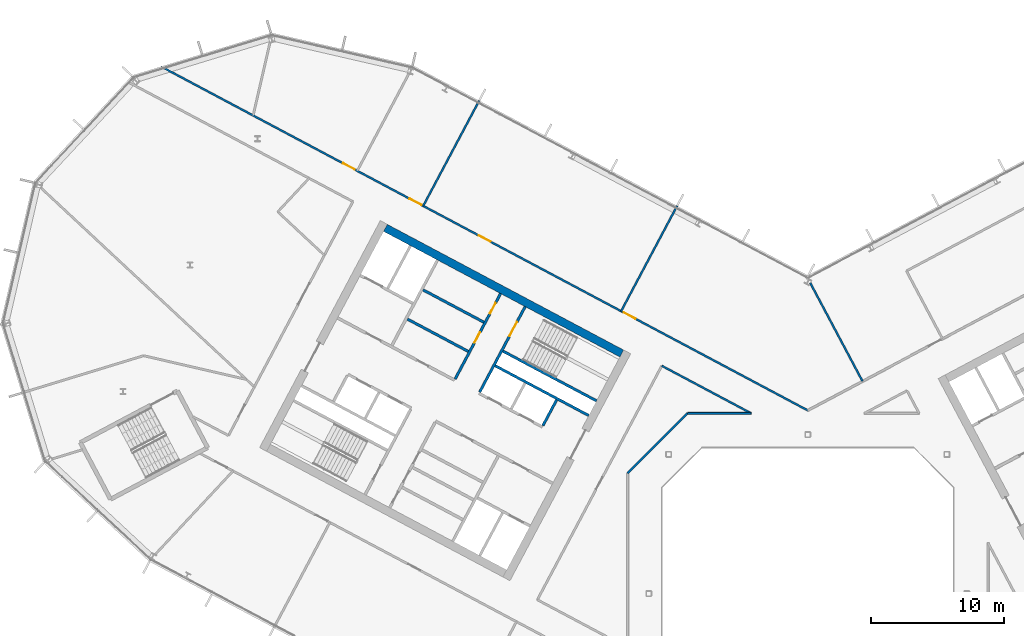
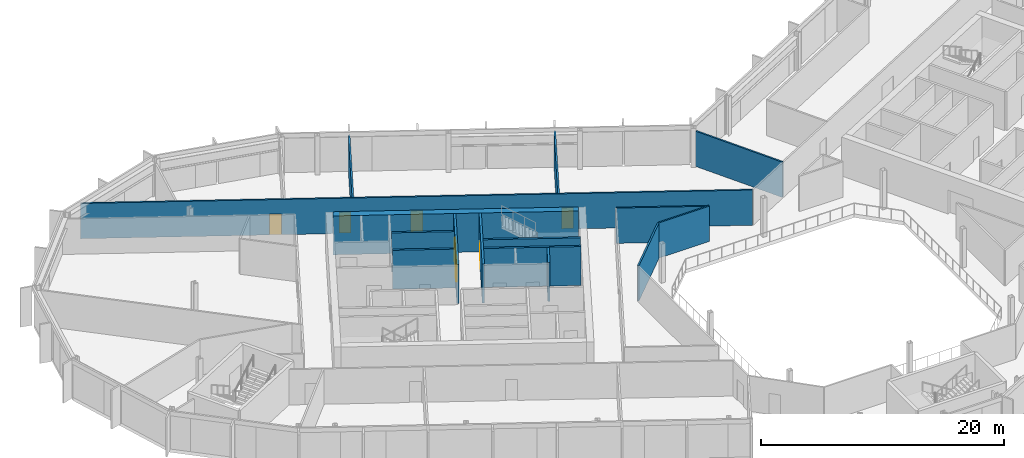
# One storey, part 14 of 26: 15 walls, 7 doors, 7 openings.
"""IFC4 building model written with IfcOpenShell, lengths in metres."""

from ifc_helpers import new_model, si_unit, direction, frame, frame_2d, origin, place, context, subcontext, project, spatial, rectangle, extrude, material, layer, layer_set, type_object, element, fill, save


model = new_model("IFC4")

# Units and contexts
model_context = context("Model", 3, precision=1e-05, world=origin(), true_north=direction((0.0, 1.0)))
body_context = subcontext(model_context, "Body", "Model", "MODEL_VIEW")
ifc_project = project(units=[si_unit("LENGTHUNIT", "METRE"), si_unit("AREAUNIT", "SQUARE_METRE"), si_unit("VOLUMEUNIT", "CUBIC_METRE"), si_unit("PLANEANGLEUNIT", "RADIAN"), si_unit("MASSUNIT", "GRAM", prefix="KILO")], contexts=[model_context])

# Site, building, storey
site_placement = place(None, origin())
site = spatial("IfcSite", under=ifc_project, at=site_placement, CompositionType="ELEMENT")
building_placement = place(site_placement, origin())
building = spatial("IfcBuilding", under=site, at=building_placement, Name="Cormorant Relay Tower", CompositionType="ELEMENT")
storey_placement = place(building_placement, frame((0.0, 0.0, 228.60009765625)))
storey = spatial("IfcBuildingStorey", under=building, at=storey_placement, Name="L50", CompositionType="ELEMENT", Elevation=228.60009765625)

# Walls
ifc_material_1 = material(Name="Concrete 40 MPa", Category="concrete")
ifc_layer_1 = layer(ifc_material_1, 0.199951171875)
ifc_layer_set_1 = layer_set([ifc_layer_1], Name="Core internal wall 200")
wall_type_1 = type_object("IfcWallType", Name="Core internal wall 200", PredefinedType="SOLIDWALL", material=ifc_layer_set_1)
wall_1_placement = place(storey_placement, frame((-24.449462890625, 20.474853515625, 0.0), z_axis=(0.0, 0.0, 1.0), x_axis=(-0.882934506056, 0.469496174655, 0.0)))
element("IfcWall", 1, at=wall_1_placement, inside=storey, type_object=wall_type_1, Name="L50 core A shaft and room wall", PredefinedType="SOLIDWALL", context=body_context, shape_type="SweptSolid", body=[
    extrude(rectangle(XDim=5.199951171875, YDim=0.199951171875, at=frame_2d((2.60009765625, 0.0))), origin(), (0.0, 0.0, 1.0), 3.89990234375),
])
ifc_material_2 = material(Name="Concrete 50 MPa", Category="concrete")
ifc_layer_2 = layer(ifc_material_2, 0.199951171875)
ifc_layer_set_2 = layer_set([ifc_layer_2], Name="Core shaft wall 200")
wall_type_2 = type_object("IfcWallType", Name="Core shaft wall 200", PredefinedType="SHEAR", material=ifc_layer_set_2)
wall_2_placement = place(storey_placement, frame((-18.959716796875, 14.611328125, 0.0), z_axis=(0.0, 0.0, 1.0), x_axis=(-0.4694473164, -0.882960484464, 0.0)))
element("IfcWall", 2, at=wall_2_placement, inside=storey, type_object=wall_type_2, Name="L50 core A shaft wall", PredefinedType="SHEAR", context=body_context, shape_type="SweptSolid", body=[
    extrude(rectangle(XDim=2.199951171875, YDim=0.199951171875, at=frame_2d((1.10009765625, 0.0))), origin(), (0.0, 0.0, 1.0), 3.89990234375),
])

# Wall, opening, door
wall_3_placement = place(storey_placement, frame((-21.333251953125, 21.6494140625, 0.0), z_axis=(0.0, 0.0, 1.0), x_axis=(-0.469494272526, -0.882935517501, 0.0)))
wall_3 = element("IfcWall", 3, at=wall_3_placement, inside=storey, type_object=wall_type_2, Name="L50 core A shaft wall", PredefinedType="SHEAR", context=body_context, shape_type="SweptSolid", body=[
    extrude(rectangle(XDim=7.2998046875, YDim=0.199951171875, at=frame_2d((3.64990234375, 0.0))), origin(), (0.0, 0.0, 1.0), 3.89990234375),
])
opening_1_placement = place(wall_3_placement, frame((1.300048828125, 0.0, 0.0)))
opening_1 = element("IfcOpeningElement", 4, at=opening_1_placement, cuts=wall_3, Name="Opening CDB-038", PredefinedType="OPENING", context=body_context, shape_type="SweptSolid", body=[
    extrude(rectangle(XDim=1.199951171875, YDim=2.10009765625, at=frame_2d((0.60009765625, 1.050048828125))), frame((0.0, 0.10986328125, 0.0), z_axis=(0.0, -1.0, 0.0), x_axis=(1.0, 0.0, 0.0)), (0.0, 0.0, 1.0), 0.219970703125),
])
ifc_material_3 = material(Name="Steel fire door", Category="steel")
door_type_1 = type_object("IfcDoorType", Name="Core stair door 1200x2100", OperationType="SINGLE_SWING_LEFT", PredefinedType="DOOR", material=ifc_material_3)
door_1_placement = place(opening_1_placement, origin())
door_1 = element("IfcDoor", 5, at=door_1_placement, inside=storey, type_object=door_type_1, Name="Core stair door 1200x2100", OperationType="SINGLE_SWING_RIGHT", OverallHeight=2.10009765625, OverallWidth=1.199951171875, PredefinedType="DOOR", context=body_context, shape_type="SweptSolid", body=[
    extrude(rectangle(XDim=1.199951171875, YDim=2.10009765625, at=frame_2d((0.60009765625, 1.050048828125))), frame((0.0, 0.02490234375, 0.0), z_axis=(0.0, -1.0, 0.0), x_axis=(1.0, 0.0, 0.0)), (0.0, 0.0, 1.0), 0.050048828125),
])
fill(opening_1, door_1)

# Wall, openings, doors
wall_4_placement = place(storey_placement, frame((-23.1875, 22.635498046875, 0.0), z_axis=(0.0, 0.0, 1.0), x_axis=(-0.469454336211, -0.882956752176, 0.0)))
wall_4 = element("IfcWall", 6, at=wall_4_placement, inside=storey, type_object=wall_type_2, Name="L50 core A shaft wall", PredefinedType="SHEAR", context=body_context, shape_type="SweptSolid", body=[
    extrude(rectangle(XDim=7.300048828125, YDim=0.199951171875, at=frame_2d((3.64990234375, 0.0))), origin(), (0.0, 0.0, 1.0), 3.89990234375),
])
opening_2_placement = place(wall_4_placement, frame((0.800048828125, 0.0, 0.0)))
opening_2 = element("IfcOpeningElement", 7, at=opening_2_placement, cuts=wall_4, Name="Opening CDD-281", PredefinedType="OPENING", context=body_context, shape_type="SweptSolid", body=[
    extrude(rectangle(XDim=0.89990234375, YDim=2.10009765625, at=frame_2d((0.449951171875, 1.050048828125))), frame((0.0, 0.10986328125, 0.0), z_axis=(0.0, -1.0, 0.0), x_axis=(1.0, 0.0, 0.0)), (0.0, 0.0, 1.0), 0.219970703125),
])
opening_3_placement = place(wall_4_placement, frame((3.300048828125, 0.0, 0.0)))
opening_3 = element("IfcOpeningElement", 8, at=opening_3_placement, cuts=wall_4, Name="Opening CDD-282", PredefinedType="OPENING", context=body_context, shape_type="SweptSolid", body=[
    extrude(rectangle(XDim=0.89990234375, YDim=2.10009765625, at=frame_2d((0.449951171875, 1.050048828125))), frame((0.0, 0.10986328125, 0.0), z_axis=(0.0, -1.0, 0.0), x_axis=(1.0, 0.0, 0.0)), (0.0, 0.0, 1.0), 0.219970703125),
])
ifc_material_4 = material(Name="Steel fire door", Category="steel")
door_type_2 = type_object("IfcDoorType", Name="Core room door 900x2100", OperationType="SINGLE_SWING_LEFT", PredefinedType="DOOR", material=ifc_material_4)
door_2_placement = place(opening_2_placement, origin())
door_2 = element("IfcDoor", 9, at=door_2_placement, inside=storey, type_object=door_type_2, Name="Core room door 900x2100", OperationType="SINGLE_SWING_LEFT", OverallHeight=2.10009765625, OverallWidth=0.89990234375, PredefinedType="DOOR", context=body_context, shape_type="SweptSolid", body=[
    extrude(rectangle(XDim=0.89990234375, YDim=2.10009765625, at=frame_2d((0.449951171875, 1.050048828125))), frame((0.0, 0.02490234375, 0.0), z_axis=(0.0, -1.0, 0.0), x_axis=(1.0, 0.0, 0.0)), (0.0, 0.0, 1.0), 0.050048828125),
])
fill(opening_2, door_2)
door_3_placement = place(opening_3_placement, origin())
door_3 = element("IfcDoor", 10, at=door_3_placement, inside=storey, type_object=door_type_2, Name="Core room door 900x2100", OperationType="SINGLE_SWING_LEFT", OverallHeight=2.10009765625, OverallWidth=0.89990234375, PredefinedType="DOOR", context=body_context, shape_type="SweptSolid", body=[
    extrude(rectangle(XDim=0.89990234375, YDim=2.10009765625, at=frame_2d((0.449951171875, 1.050048828125))), frame((0.0, 0.02490234375, 0.0), z_axis=(0.0, -1.0, 0.0), x_axis=(1.0, 0.0, 0.0)), (0.0, 0.0, 1.0), 0.050048828125),
])
fill(opening_3, door_3)

# Walls
wall_5_placement = place(storey_placement, frame((-15.94189453125, 14.53564453125, 0.0), z_axis=(0.0, 0.0, 1.0), x_axis=(-0.882946947542, 0.469472776449, 0.0)))
element("IfcWall", 11, at=wall_5_placement, inside=storey, type_object=wall_type_2, Name="L50 core A shaft wall", PredefinedType="SHEAR", context=body_context, shape_type="SweptSolid", body=[
    extrude(rectangle(XDim=8.000244140625, YDim=0.199951171875, at=frame_2d((4.0, 0.0))), origin(), (0.0, 0.0, 1.0), 3.89990234375),
])
wall_6_placement = place(storey_placement, frame((-16.52880859375, 13.43212890625, 0.0), z_axis=(0.0, 0.0, 1.0), x_axis=(-0.88295287151, 0.469461634952, 0.0)))
element("IfcWall", 12, at=wall_6_placement, inside=storey, type_object=wall_type_2, Name="L50 core A shaft wall", PredefinedType="SHEAR", context=body_context, shape_type="SweptSolid", body=[
    extrude(rectangle(XDim=7.999755859375, YDim=0.199951171875, at=frame_2d((4.0, 0.0))), origin(), (0.0, 0.0, 1.0), 3.89990234375),
])
wall_7_placement = place(storey_placement, frame((-25.623046875, 18.267578125, 0.0), z_axis=(0.0, 0.0, 1.0), x_axis=(-0.882953967957, 0.469459572775, 0.0)))
element("IfcWall", 13, at=wall_7_placement, inside=storey, type_object=wall_type_2, Name="L50 core A shaft wall", PredefinedType="SHEAR", context=body_context, shape_type="SweptSolid", body=[
    extrude(rectangle(XDim=5.199951171875, YDim=0.199951171875, at=frame_2d((2.60009765625, 0.0))), origin(), (0.0, 0.0, 1.0), 3.89990234375),
])
ifc_material_5 = material(Name="Concrete 50 MPa", Category="concrete")
ifc_layer_3 = layer(ifc_material_5, 0.60009765625)
ifc_layer_set_3 = layer_set([ifc_layer_3], Name="Core wall 600")
wall_type_3 = type_object("IfcWallType", Name="Core wall 600", PredefinedType="SHEAR", material=ifc_layer_set_3)
wall_8_placement = place(storey_placement, frame((-14.04052734375, 18.111572265625, 0.0), z_axis=(0.0, 0.0, 1.0), x_axis=(-0.882947755831, 0.46947125628, 0.0)))
element("IfcWall", 14, at=wall_8_placement, inside=storey, type_object=wall_type_3, Name="L50 core A wall", PredefinedType="SHEAR", context=body_context, shape_type="SweptSolid", body=[
    extrude(rectangle(XDim=20.2001953125, YDim=0.60009765625, at=frame_2d((10.10009765625, 0.0))), origin(), (0.0, 0.0, 1.0), 3.89990234375),
])

# Wall, openings, doors
ifc_material_6 = material(Name="Gypsum board fire partition")
ifc_layer_4 = layer(ifc_material_6, 0.14990234375)
ifc_layer_set_4 = layer_set([ifc_layer_4], Name="Corridor partition 150 EI 60")
wall_type_4 = type_object("IfcWallType", Name="Corridor partition 150 EI 60", PredefinedType="PARTITIONING", material=ifc_layer_set_4)
wall_9_placement = place(storey_placement, frame((-48.81201171875, 39.77099609375, 0.0), z_axis=(0.0, 0.0, 1.0), x_axis=(0.882945384259, -0.469475716535, 0.0)))
wall_9 = element("IfcWall", 15, at=wall_9_placement, inside=storey, type_object=wall_type_4, Name="wall/L50/part/011", PredefinedType="PARTITIONING", context=body_context, shape_type="SweptSolid", body=[
    extrude(rectangle(XDim=55.283203125, YDim=0.14990234375, at=frame_2d((27.6416015625, 0.0))), origin(), (0.0, 0.0, 1.0), 3.539794921875),
])
opening_4_placement = place(wall_9_placement, frame((39.550048828125, 0.0, 0.0)))
opening_4 = element("IfcOpeningElement", 16, at=opening_4_placement, cuts=wall_9, Name="Opening DS-161", PredefinedType="OPENING", context=body_context, shape_type="SweptSolid", body=[
    extrude(rectangle(XDim=1.0, YDim=2.10009765625, at=frame_2d((0.5, 1.050048828125))), frame((0.0, 0.0849609375, 0.0), z_axis=(0.0, -1.0, 0.0), x_axis=(1.0, 0.0, 0.0)), (0.0, 0.0, 1.0), 0.169921875),
])
opening_5_placement = place(wall_9_placement, frame((27.14990234375, 0.0, 0.0)))
opening_5 = element("IfcOpeningElement", 17, at=opening_5_placement, cuts=wall_9, Name="Opening DS-162", PredefinedType="OPENING", context=body_context, shape_type="SweptSolid", body=[
    extrude(rectangle(XDim=1.0, YDim=2.10009765625, at=frame_2d((0.5, 1.050048828125))), frame((0.0, 0.0849609375, 0.0), z_axis=(0.0, -1.0, 0.0), x_axis=(1.0, 0.0, 0.0)), (0.0, 0.0, 1.0), 0.169921875),
])
opening_6_placement = place(wall_9_placement, frame((21.25, 0.0, 0.0)))
opening_6 = element("IfcOpeningElement", 18, at=opening_6_placement, cuts=wall_9, Name="Opening DS-163", PredefinedType="OPENING", context=body_context, shape_type="SweptSolid", body=[
    extrude(rectangle(XDim=1.0, YDim=2.10009765625, at=frame_2d((0.5, 1.050048828125))), frame((0.0, 0.0849609375, 0.0), z_axis=(0.0, -1.0, 0.0), x_axis=(1.0, 0.0, 0.0)), (0.0, 0.0, 1.0), 0.169921875),
])
opening_7_placement = place(wall_9_placement, frame((15.550048828125, 0.0, 0.0)))
opening_7 = element("IfcOpeningElement", 19, at=opening_7_placement, cuts=wall_9, Name="Opening DS-164", PredefinedType="OPENING", context=body_context, shape_type="SweptSolid", body=[
    extrude(rectangle(XDim=1.0, YDim=2.10009765625, at=frame_2d((0.5, 1.050048828125))), frame((0.0, 0.0849609375, 0.0), z_axis=(0.0, -1.0, 0.0), x_axis=(1.0, 0.0, 0.0)), (0.0, 0.0, 1.0), 0.169921875),
])
ifc_material_7 = material(Name="Timber door leaf", Category="wood")
door_type_3 = type_object("IfcDoorType", Name="Suite door 1000x2100", OperationType="SINGLE_SWING_LEFT", PredefinedType="DOOR", material=ifc_material_7)
door_4_placement = place(opening_4_placement, origin())
door_4 = element("IfcDoor", 20, at=door_4_placement, inside=storey, type_object=door_type_3, Name="door/L50/015", OperationType="SINGLE_SWING_LEFT", OverallHeight=2.10009765625, OverallWidth=1.0, PredefinedType="DOOR", context=body_context, shape_type="SweptSolid", body=[
    extrude(rectangle(XDim=1.0, YDim=2.10009765625, at=frame_2d((0.5, 1.050048828125))), frame((0.0, 0.02490234375, 0.0), z_axis=(0.0, -1.0, 0.0), x_axis=(1.0, 0.0, 0.0)), (0.0, 0.0, 1.0), 0.050048828125),
])
fill(opening_4, door_4)
door_5_placement = place(opening_5_placement, origin())
door_5 = element("IfcDoor", 21, at=door_5_placement, inside=storey, type_object=door_type_3, Name="door/L50/016", OperationType="SINGLE_SWING_RIGHT", OverallHeight=2.10009765625, OverallWidth=1.0, PredefinedType="DOOR", context=body_context, shape_type="SweptSolid", body=[
    extrude(rectangle(XDim=1.0, YDim=2.10009765625, at=frame_2d((0.5, 1.050048828125))), frame((0.0, 0.02490234375, 0.0), z_axis=(0.0, -1.0, 0.0), x_axis=(1.0, 0.0, 0.0)), (0.0, 0.0, 1.0), 0.050048828125),
])
fill(opening_5, door_5)
door_6_placement = place(opening_6_placement, origin())
door_6 = element("IfcDoor", 22, at=door_6_placement, inside=storey, type_object=door_type_3, Name="door/L50/017", OperationType="SINGLE_SWING_RIGHT", OverallHeight=2.10009765625, OverallWidth=1.0, PredefinedType="DOOR", context=body_context, shape_type="SweptSolid", body=[
    extrude(rectangle(XDim=1.0, YDim=2.10009765625, at=frame_2d((0.5, 1.050048828125))), frame((0.0, 0.02490234375, 0.0), z_axis=(0.0, -1.0, 0.0), x_axis=(1.0, 0.0, 0.0)), (0.0, 0.0, 1.0), 0.050048828125),
])
fill(opening_6, door_6)
door_7_placement = place(opening_7_placement, origin())
door_7 = element("IfcDoor", 23, at=door_7_placement, inside=storey, type_object=door_type_3, Name="door/L50/018", OperationType="SINGLE_SWING_RIGHT", OverallHeight=2.10009765625, OverallWidth=1.0, PredefinedType="DOOR", context=body_context, shape_type="SweptSolid", body=[
    extrude(rectangle(XDim=1.0, YDim=2.10009765625, at=frame_2d((0.5, 1.050048828125))), frame((0.0, 0.02490234375, 0.0), z_axis=(0.0, -1.0, 0.0), x_axis=(1.0, 0.0, 0.0)), (0.0, 0.0, 1.0), 0.050048828125),
])
fill(opening_7, door_7)

# Walls
wall_10_placement = place(storey_placement, frame((-11.02197265625, 17.18603515625, 0.0), z_axis=(0.0, 0.0, 1.0), x_axis=(0.882967947403, -0.469433279453, 0.0)))
element("IfcWall", 24, at=wall_10_placement, inside=storey, type_object=wall_type_4, Name="wall/L50/part/043", PredefinedType="PARTITIONING", context=body_context, shape_type="SweptSolid", body=[
    extrude(rectangle(XDim=7.638916015625, YDim=0.14990234375, at=frame_2d((3.8193359375, 0.0))), origin(), (0.0, 0.0, 1.0), 3.539794921875),
])
wall_11_placement = place(storey_placement, frame((-4.277099609375, 13.60009765625, 0.0), z_axis=(0.0, 0.0, 1.0), x_axis=(-1.0, 0.0, 0.0)))
element("IfcWall", 25, at=wall_11_placement, inside=storey, type_object=wall_type_4, Name="wall/L50/part/044", PredefinedType="PARTITIONING", context=body_context, shape_type="SweptSolid", body=[
    extrude(rectangle(XDim=4.7998046875, YDim=0.14990234375, at=frame_2d((2.39990234375, 0.0))), origin(), (0.0, 0.0, 1.0), 3.539794921875),
])
wall_12_placement = place(storey_placement, frame((-9.076904296875, 13.60009765625, 0.0), z_axis=(0.0, 0.0, 1.0), x_axis=(-0.707106781187, -0.707106781187, 0.0)))
element("IfcWall", 26, at=wall_12_placement, inside=storey, type_object=wall_type_4, Name="wall/L50/part/045", PredefinedType="PARTITIONING", context=body_context, shape_type="SweptSolid", body=[
    extrude(rectangle(XDim=6.396728515625, YDim=0.14990234375, at=frame_2d((3.1982421875, 0.0))), origin(), (0.0, 0.0, 1.0), 3.539794921875),
])
ifc_material_8 = material(Name="Gypsum board partition")
ifc_layer_5 = layer(ifc_material_8, 0.14990234375)
ifc_layer_set_5 = layer_set([ifc_layer_5], Name="Tenant partition 150")
wall_type_5 = type_object("IfcWallType", Name="Tenant partition 150", PredefinedType="PARTITIONING", material=ifc_layer_set_5)
wall_13_placement = place(storey_placement, frame((-24.800048828125, 37.197021484375, 0.0), z_axis=(0.0, 0.0, 1.0), x_axis=(-0.469544588835, -0.882908760346, 0.0)))
element("IfcWall", 27, at=wall_13_placement, inside=storey, type_object=wall_type_5, Name="wall/L50/part/020", PredefinedType="PARTITIONING", context=body_context, shape_type="SweptSolid", body=[
    extrude(rectangle(XDim=8.999755859375, YDim=0.14990234375, at=frame_2d((4.5, 0.0))), origin(), (0.0, 0.0, 1.0), 3.539794921875),
])
wall_14_placement = place(storey_placement, frame((-9.864013671875, 29.2548828125, 0.0), z_axis=(0.0, 0.0, 1.0), x_axis=(-0.469492391546, -0.882936517696, 0.0)))
element("IfcWall", 28, at=wall_14_placement, inside=storey, type_object=wall_type_5, Name="wall/L50/part/022", PredefinedType="PARTITIONING", context=body_context, shape_type="SweptSolid", body=[
    extrude(rectangle(XDim=8.999267578125, YDim=0.14990234375, at=frame_2d((4.49951171875, 0.0))), origin(), (0.0, 0.0, 1.0), 3.539794921875),
])
wall_15_placement = place(storey_placement, frame((0.18310546875, 23.43994140625, 0.0), z_axis=(0.0, 0.0, 1.0), x_axis=(0.469426169657, -0.882971727317, 0.0)))
element("IfcWall", 29, at=wall_15_placement, inside=storey, type_object=wall_type_5, Name="wall/L50/part/024", PredefinedType="PARTITIONING", context=body_context, shape_type="SweptSolid", body=[
    extrude(rectangle(XDim=8.41015625, YDim=0.14990234375, at=frame_2d((4.205078125, 0.0))), origin(), (0.0, 0.0, 1.0), 3.539794921875),
])

save(model, "model.ifc")
